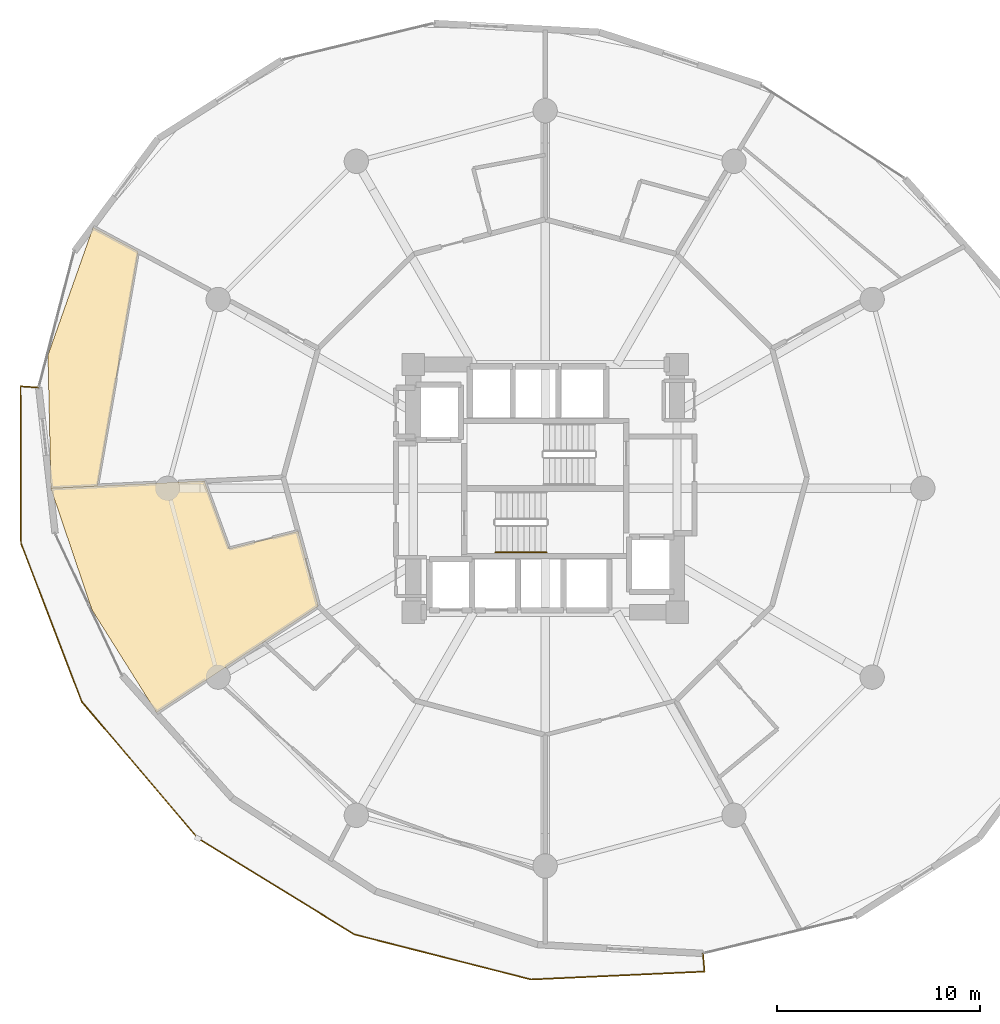
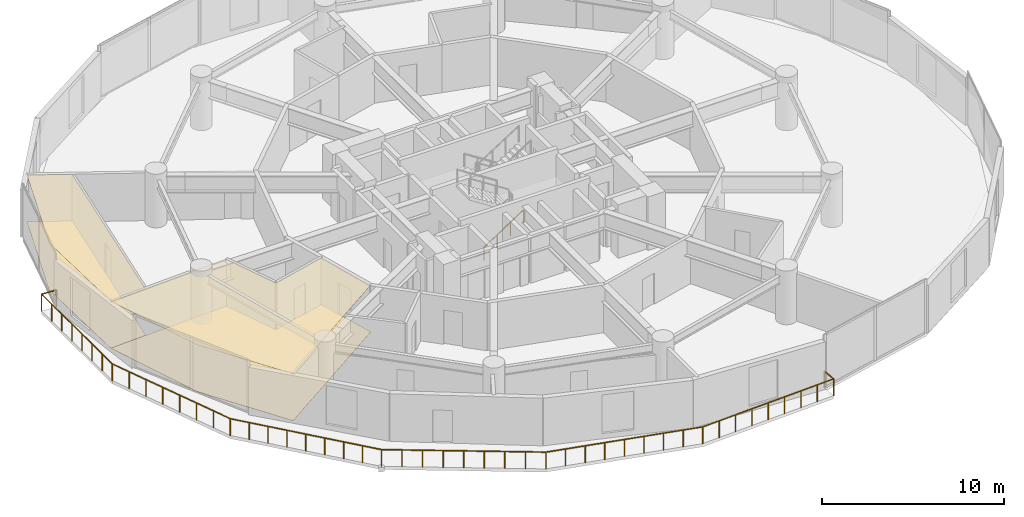
# One storey, part 22 of 24: 4 coverings, 2 railings.
"""IFC4 building model written with IfcOpenShell, lengths in metres."""

from ifc_helpers import new_model, si_unit, direction, frame, origin, origin_2d, place, context, subcontext, project, spatial, polyline, circle, outline, extrude, material, layer, layer_set, type_object, element, save


model = new_model("IFC4")

# Units and contexts
model_context = context("Model", 3, precision=1e-05, world=origin(), true_north=direction((0.0, 1.0)))
body_context = subcontext(model_context, "Body", "Model", "MODEL_VIEW")
ifc_project = project(units=[si_unit("LENGTHUNIT", "METRE"), si_unit("AREAUNIT", "SQUARE_METRE"), si_unit("VOLUMEUNIT", "CUBIC_METRE"), si_unit("PLANEANGLEUNIT", "RADIAN"), si_unit("MASSUNIT", "GRAM", prefix="KILO")], contexts=[model_context])

# Site, building, storey
site_placement = place(None, origin())
site = spatial("IfcSite", under=ifc_project, at=site_placement, CompositionType="ELEMENT")
building_placement = place(site_placement, origin())
building = spatial("IfcBuilding", under=site, at=building_placement, Name="Solvirekh Grand Hotel", CompositionType="ELEMENT")
storey_placement = place(building_placement, frame((0.0, 0.0, 89.60009765625)))
storey = spatial("IfcBuildingStorey", under=building, at=storey_placement, Name="L22", CompositionType="ELEMENT", Elevation=89.60009765625)

# Coverings
ifc_material_1 = material(Name="Acoustic Mineral Ceiling Tile")
ifc_layer_1 = layer(ifc_material_1, 0.02490234375)
ifc_layer_set_1 = layer_set([ifc_layer_1], Name="Acoustic Mineral Ceiling Tile")
covering_type_1 = type_object("IfcCoveringType", Name="Cov_Ceiling_Acoustic", PredefinedType="CEILING", material=ifc_layer_set_1)
covering_1_placement = place(storey_placement, frame((0.0, 0.0, 3.14990234375)))
element("IfcCovering", 1, at=covering_1_placement, inside=storey, type_object=covering_type_1, Name="L22 Diplomatic Suite 2403 Master Bedroom acoustic ceiling", PredefinedType="CEILING", context=body_context, shape_type="SweptSolid", body=[
    extrude(outline(polyline([(-22.26611328125, 12.85498046875), (-24.488037109375, 6.56103515625), (-24.346923828125, 0.0), (-22.05810546875, 0.110107421875), (-20.047119140625, 11.6640625), (-22.26611328125, 12.85498046875)])), origin(), (0.0, 0.0, 1.0), 0.01806640625),
])
covering_2_placement = place(storey_placement, frame((0.0, 0.0, 3.14990234375)))
element("IfcCovering", 2, at=covering_2_placement, inside=storey, type_object=covering_type_1, Name="L22 Deluxe Guestroom 2404 acoustic ceiling", PredefinedType="CEILING", context=body_context, shape_type="SweptSolid", body=[
    extrude(outline(polyline([(-15.569091796875, -2.97509765625), (-16.7919921875, 0.363037109375), (-24.346923828125, 0.0), (-22.322998046875, -5.98095703125), (-19.137939453125, -11.049072265625), (-11.172119140625, -5.800048828125), (-12.174072265625, -2.116943359375), (-15.569091796875, -2.97509765625)])), origin(), (0.0, 0.0, 1.0), 0.01806640625),
])
ifc_material_2 = material(Name="Porcelain Stoneware Flooring", Category="masonry")
ifc_layer_2 = layer(ifc_material_2, 0.030029296875)
ifc_layer_set_2 = layer_set([ifc_layer_2], Name="Porcelain Stoneware Flooring")
covering_type_2 = type_object("IfcCoveringType", Name="Cov_Floor_Stone", PredefinedType="FLOORING", material=ifc_layer_set_2)
covering_3_placement = place(storey_placement, origin())
element("IfcCovering", 3, at=covering_3_placement, inside=storey, type_object=covering_type_2, Name="L22 Diplomatic Suite 2403 Master Bedroom polished granite flooring", PredefinedType="FLOORING", context=body_context, shape_type="SweptSolid", body=[
    extrude(outline(polyline([(-22.26611328125, 12.85498046875), (-24.488037109375, 6.56103515625), (-24.346923828125, 0.0), (-22.05810546875, 0.110107421875), (-20.047119140625, 11.6640625), (-22.26611328125, 12.85498046875)])), origin(), (0.0, 0.0, 1.0), 0.02001953125),
])
covering_4_placement = place(storey_placement, origin())
element("IfcCovering", 4, at=covering_4_placement, inside=storey, type_object=covering_type_2, Name="L22 Deluxe Guestroom 2404 polished granite flooring", PredefinedType="FLOORING", context=body_context, shape_type="SweptSolid", body=[
    extrude(outline(polyline([(-15.569091796875, -2.97509765625), (-16.7919921875, 0.363037109375), (-24.346923828125, 0.0), (-22.322998046875, -5.98095703125), (-19.137939453125, -11.049072265625), (-11.172119140625, -5.800048828125), (-12.174072265625, -2.116943359375), (-15.569091796875, -2.97509765625)])), origin(), (0.0, 0.0, 1.0), 0.02001953125),
])

# Railings
ifc_material_3 = material(Name="Anodized Bronze Aluminium 6063-T6", Category="aluminium")
railing_type_1 = type_object("IfcRailingType", Name="Guard_ExtGlass_1150", PredefinedType="BALUSTRADE", material=ifc_material_3)
railing_1_placement = place(storey_placement, frame((-24.945068359375, 4.964111328125, 0.0)))
element("IfcRailing", 5, at=railing_1_placement, inside=storey, type_object=railing_type_1, Name="L22 balc perimeter glass balustrade", PredefinedType="BALUSTRADE", context=body_context, shape_type="SweptSolid", body=[
    extrude(circle(Radius=0.02392578125, at=origin_2d()), frame((0.0, 0.0, 1.1259765625), z_axis=(-0.997716213457, 0.067545224891, 0.0), x_axis=(-0.067545224891, -0.997716213457, 0.0)), (0.0, 0.0, 1.0), 0.89990234375),
    extrude(circle(Radius=0.02392578125, at=origin_2d()), frame((-0.89794921875, 0.060791015625, 1.1259765625), z_axis=(0.003219477034, -0.99999481747, 0.0), x_axis=(0.99999481747, 0.003219477034, 0.0)), (0.0, 0.0, 1.0), 7.73486328125),
    extrude(circle(Radius=0.02392578125, at=origin_2d()), frame((-0.873046875, -7.674072265625, 1.1259765625), z_axis=(0.35814697875, -0.933665219237, 0.0), x_axis=(0.933665219237, 0.35814697875, 0.0)), (0.0, 0.0, 1.0), 8.357421875),
    extrude(circle(Radius=0.02392578125, at=origin_2d()), frame((2.1201171875, -15.47705078125, 1.1259765625), z_axis=(0.647871386849, -0.761749739811, 0.0), x_axis=(0.761749739811, 0.647871386849, 0.0)), (0.0, 0.0, 1.0), 8.8349609375),
    extrude(circle(Radius=0.02392578125, at=origin_2d()), frame((7.843994140625, -22.20703125, 1.1259765625), z_axis=(0.852332286526, -0.523000643733, 0.0), x_axis=(0.523000643733, 0.852332286526, 0.0)), (0.0, 0.0, 1.0), 9.057373046875),
    extrude(circle(Radius=0.02392578125, at=origin_2d()), frame((15.56396484375, -26.944091796875, 1.1259765625), z_axis=(0.96902718595, -0.246954070404, 0.0), x_axis=(0.246954070404, 0.96902718595, 0.0)), (0.0, 0.0, 1.0), 8.965576171875),
    extrude(circle(Radius=0.02392578125, at=origin_2d()), frame((24.251953125, -29.158203125, 1.1259765625), z_axis=(0.998964357332, 0.045499590982, 0.0), x_axis=(-0.045499590982, 0.998964357332, 0.0)), (0.0, 0.0, 1.0), 8.552978515625),
    extrude(circle(Radius=0.02392578125, at=origin_2d()), frame((32.796142578125, -28.76904296875, 1.1259765625), z_axis=(-0.08784633324, 0.996134038037, 0.0), x_axis=(-0.996134038037, -0.08784633324, 0.0)), (0.0, 0.0, 1.0), 0.900390625),
    extrude(circle(Radius=0.02099609375, at=origin_2d()), origin(), (0.0, 0.0, 1.0), 1.101806640625),
    extrude(circle(Radius=0.02099609375, at=origin_2d()), frame((-0.89794921875, 0.060791015625, 0.0)), (0.0, 0.0, 1.0), 1.101806640625),
    extrude(circle(Radius=0.02099609375, at=origin_2d()), frame((-0.894287109375, -1.044189453125, 0.0)), (0.0, 0.0, 1.0), 1.101806640625),
    extrude(circle(Radius=0.02099609375, at=origin_2d()), frame((-0.890869140625, -2.149169921875, 0.0)), (0.0, 0.0, 1.0), 1.101806640625),
    extrude(circle(Radius=0.02099609375, at=origin_2d()), frame((-0.88720703125, -3.254150390625, 0.0)), (0.0, 0.0, 1.0), 1.101806640625),
    extrude(circle(Radius=0.02099609375, at=origin_2d()), frame((-0.8837890625, -4.359130859375, 0.0)), (0.0, 0.0, 1.0), 1.101806640625),
    extrude(circle(Radius=0.02099609375, at=origin_2d()), frame((-0.880126953125, -5.464111328125, 0.0)), (0.0, 0.0, 1.0), 1.101806640625),
    extrude(circle(Radius=0.02099609375, at=origin_2d()), frame((-0.876708984375, -6.569091796875, 0.0)), (0.0, 0.0, 1.0), 1.101806640625),
    extrude(circle(Radius=0.02099609375, at=origin_2d()), frame((-0.873046875, -7.674072265625, 0.0)), (0.0, 0.0, 1.0), 1.101806640625),
    extrude(circle(Radius=0.02099609375, at=origin_2d()), frame((-0.445556640625, -8.788818359375, 0.0)), (0.0, 0.0, 1.0), 1.101806640625),
    extrude(circle(Radius=0.02099609375, at=origin_2d()), frame((-0.017822265625, -9.903564453125, 0.0)), (0.0, 0.0, 1.0), 1.101806640625),
    extrude(circle(Radius=0.02099609375, at=origin_2d()), frame((0.40966796875, -11.018310546875, 0.0)), (0.0, 0.0, 1.0), 1.101806640625),
    extrude(circle(Radius=0.02099609375, at=origin_2d()), frame((0.83740234375, -12.1328125, 0.0)), (0.0, 0.0, 1.0), 1.101806640625),
    extrude(circle(Radius=0.02099609375, at=origin_2d()), frame((1.264892578125, -13.24755859375, 0.0)), (0.0, 0.0, 1.0), 1.101806640625),
    extrude(circle(Radius=0.02099609375, at=origin_2d()), frame((1.692626953125, -14.3623046875, 0.0)), (0.0, 0.0, 1.0), 1.101806640625),
    extrude(circle(Radius=0.02099609375, at=origin_2d()), frame((2.1201171875, -15.47705078125, 0.0)), (0.0, 0.0, 1.0), 1.101806640625),
    extrude(circle(Radius=0.02099609375, at=origin_2d()), frame((2.835693359375, -16.318359375, 0.0)), (0.0, 0.0, 1.0), 1.101806640625),
    extrude(circle(Radius=0.02099609375, at=origin_2d()), frame((3.551025390625, -17.15966796875, 0.0)), (0.0, 0.0, 1.0), 1.101806640625),
    extrude(circle(Radius=0.02099609375, at=origin_2d()), frame((4.2666015625, -18.000732421875, 0.0)), (0.0, 0.0, 1.0), 1.101806640625),
    extrude(circle(Radius=0.02099609375, at=origin_2d()), frame((4.98193359375, -18.842041015625, 0.0)), (0.0, 0.0, 1.0), 1.101806640625),
    extrude(circle(Radius=0.02099609375, at=origin_2d()), frame((5.697509765625, -19.683349609375, 0.0)), (0.0, 0.0, 1.0), 1.101806640625),
    extrude(circle(Radius=0.02099609375, at=origin_2d()), frame((6.4130859375, -20.5244140625, 0.0)), (0.0, 0.0, 1.0), 1.101806640625),
    extrude(circle(Radius=0.02099609375, at=origin_2d()), frame((7.12841796875, -21.36572265625, 0.0)), (0.0, 0.0, 1.0), 1.101806640625),
    extrude(circle(Radius=0.02099609375, at=origin_2d()), frame((7.843994140625, -22.20703125, 0.0)), (0.0, 0.0, 1.0), 1.101806640625),
    extrude(circle(Radius=0.02099609375, at=origin_2d()), frame((8.80908203125, -22.799072265625, 0.0)), (0.0, 0.0, 1.0), 1.101806640625),
    extrude(circle(Radius=0.02099609375, at=origin_2d()), frame((9.77392578125, -23.391357421875, 0.0)), (0.0, 0.0, 1.0), 1.101806640625),
    extrude(circle(Radius=0.02099609375, at=origin_2d()), frame((10.739013671875, -23.9833984375, 0.0)), (0.0, 0.0, 1.0), 1.101806640625),
    extrude(circle(Radius=0.02099609375, at=origin_2d()), frame((11.7041015625, -24.57568359375, 0.0)), (0.0, 0.0, 1.0), 1.101806640625),
    extrude(circle(Radius=0.02099609375, at=origin_2d()), frame((12.6689453125, -25.167724609375, 0.0)), (0.0, 0.0, 1.0), 1.101806640625),
    extrude(circle(Radius=0.02099609375, at=origin_2d()), frame((13.634033203125, -25.759765625, 0.0)), (0.0, 0.0, 1.0), 1.101806640625),
    extrude(circle(Radius=0.02099609375, at=origin_2d()), frame((14.598876953125, -26.35205078125, 0.0)), (0.0, 0.0, 1.0), 1.101806640625),
    extrude(circle(Radius=0.02099609375, at=origin_2d()), frame((15.56396484375, -26.944091796875, 0.0)), (0.0, 0.0, 1.0), 1.101806640625),
    extrude(circle(Radius=0.02099609375, at=origin_2d()), frame((16.64990234375, -27.220947265625, 0.0)), (0.0, 0.0, 1.0), 1.101806640625),
    extrude(circle(Radius=0.02099609375, at=origin_2d()), frame((17.73583984375, -27.49755859375, 0.0)), (0.0, 0.0, 1.0), 1.101806640625),
    extrude(circle(Radius=0.02099609375, at=origin_2d()), frame((18.822021484375, -27.7744140625, 0.0)), (0.0, 0.0, 1.0), 1.101806640625),
    extrude(circle(Radius=0.02099609375, at=origin_2d()), frame((19.907958984375, -28.05126953125, 0.0)), (0.0, 0.0, 1.0), 1.101806640625),
    extrude(circle(Radius=0.02099609375, at=origin_2d()), frame((20.993896484375, -28.327880859375, 0.0)), (0.0, 0.0, 1.0), 1.101806640625),
    extrude(circle(Radius=0.02099609375, at=origin_2d()), frame((22.080078125, -28.604736328125, 0.0)), (0.0, 0.0, 1.0), 1.101806640625),
    extrude(circle(Radius=0.02099609375, at=origin_2d()), frame((23.166015625, -28.88134765625, 0.0)), (0.0, 0.0, 1.0), 1.101806640625),
    extrude(circle(Radius=0.02099609375, at=origin_2d()), frame((24.251953125, -29.158203125, 0.0)), (0.0, 0.0, 1.0), 1.101806640625),
    extrude(circle(Radius=0.02099609375, at=origin_2d()), frame((25.320068359375, -29.109619140625, 0.0)), (0.0, 0.0, 1.0), 1.101806640625),
    extrude(circle(Radius=0.02099609375, at=origin_2d()), frame((26.387939453125, -29.06103515625, 0.0)), (0.0, 0.0, 1.0), 1.101806640625),
    extrude(circle(Radius=0.02099609375, at=origin_2d()), frame((27.4560546875, -29.01220703125, 0.0)), (0.0, 0.0, 1.0), 1.101806640625),
    extrude(circle(Radius=0.02099609375, at=origin_2d()), frame((28.52392578125, -28.963623046875, 0.0)), (0.0, 0.0, 1.0), 1.101806640625),
    extrude(circle(Radius=0.02099609375, at=origin_2d()), frame((29.592041015625, -28.9150390625, 0.0)), (0.0, 0.0, 1.0), 1.101806640625),
    extrude(circle(Radius=0.02099609375, at=origin_2d()), frame((30.66015625, -28.8662109375, 0.0)), (0.0, 0.0, 1.0), 1.101806640625),
    extrude(circle(Radius=0.02099609375, at=origin_2d()), frame((31.72802734375, -28.817626953125, 0.0)), (0.0, 0.0, 1.0), 1.101806640625),
    extrude(circle(Radius=0.02099609375, at=origin_2d()), frame((32.796142578125, -28.76904296875, 0.0)), (0.0, 0.0, 1.0), 1.101806640625),
    extrude(circle(Radius=0.02099609375, at=origin_2d()), frame((32.717041015625, -27.8720703125, 0.0)), (0.0, 0.0, 1.0), 1.101806640625),
])
railing_type_2 = type_object("IfcRailingType", Name="Handrail_Wall_900", PredefinedType="HANDRAIL", material=ifc_material_3)
railing_2_placement = place(storey_placement, frame((-2.449951171875, -3.14990234375, 0.179931640625)))
element("IfcRailing", 6, at=railing_2_placement, inside=storey, type_object=railing_type_2, Name="L22 ST-1 stair handrail 1", PredefinedType="HANDRAIL", context=body_context, shape_type="SweptSolid", body=[
    extrude(circle(Radius=0.02392578125, at=origin_2d()), frame((0.0, 0.0, 0.8759765625), z_axis=(0.841199657755, 0.0, 0.540724639528), x_axis=(0.0, 1.0, 0.0)), (0.0, 0.0, 1.0), 2.995849609375),
    extrude(circle(Radius=0.02099609375, at=origin_2d()), origin(), (0.0, 0.0, 1.0), 0.851806640625),
    extrude(circle(Radius=0.02099609375, at=origin_2d()), frame((0.840087890625, 0.0, 0.5400390625)), (0.0, 0.0, 1.0), 0.851806640625),
    extrude(circle(Radius=0.02099609375, at=origin_2d()), frame((1.679931640625, 0.0, 1.079833984375)), (0.0, 0.0, 1.0), 0.851806640625),
    extrude(circle(Radius=0.02099609375, at=origin_2d()), frame((2.52001953125, 0.0, 1.619873046875)), (0.0, 0.0, 1.0), 0.851806640625),
])

save(model, "model.ifc")
